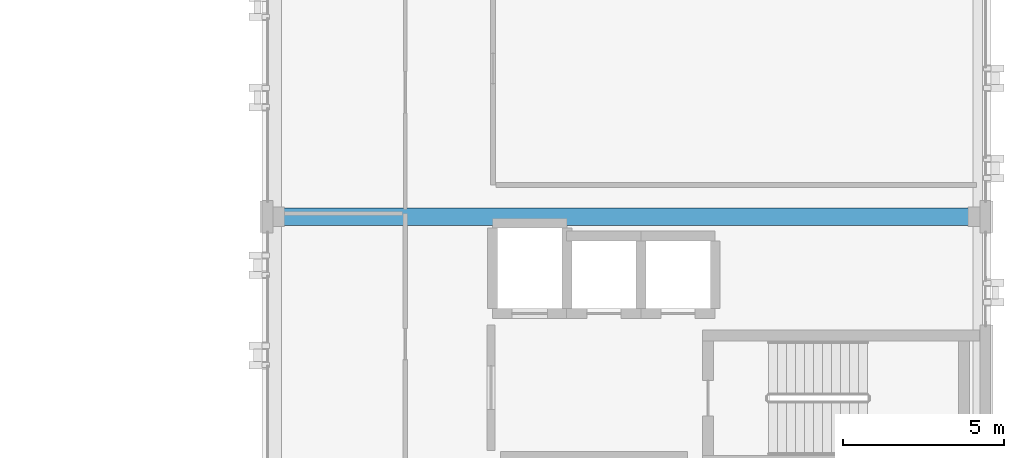
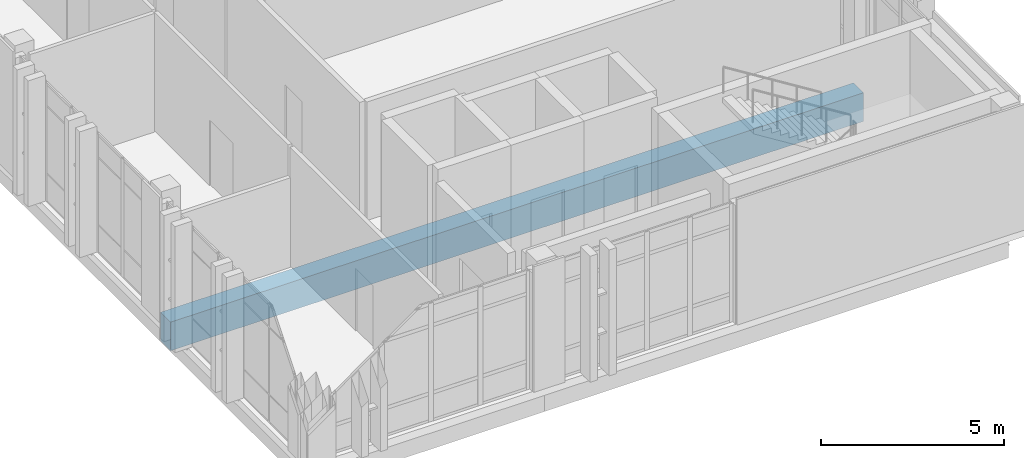
# One storey, part 5 of 22: 1 beam.
"""IFC4 building model written with IfcOpenShell, lengths in metres."""

from ifc_helpers import new_model, si_unit, direction, frame, origin, origin_2d, place, context, subcontext, project, spatial, rectangle, extrude, material, material_profile, profile_set, type_object, element, save


model = new_model("IFC4")

# Units and contexts
model_context = context("Model", 3, precision=1e-05, world=origin(), true_north=direction((0.0, 1.0)))
body_context = subcontext(model_context, "Body", "Model", "MODEL_VIEW")
ifc_project = project(units=[si_unit("LENGTHUNIT", "METRE"), si_unit("AREAUNIT", "SQUARE_METRE"), si_unit("VOLUMEUNIT", "CUBIC_METRE"), si_unit("PLANEANGLEUNIT", "RADIAN"), si_unit("MASSUNIT", "GRAM", prefix="KILO")], contexts=[model_context])

# Site, building, storey
site_placement = place(None, origin())
site = spatial("IfcSite", under=ifc_project, at=site_placement, CompositionType="ELEMENT")
building_placement = place(site_placement, origin())
building = spatial("IfcBuilding", under=site, at=building_placement, Name="Qalavern Law Courts", CompositionType="ELEMENT")
storey_placement = place(building_placement, frame((0.0, 0.0, 35.39990234375)))
storey = spatial("IfcBuildingStorey", under=building, at=storey_placement, Name="L08", CompositionType="ELEMENT", Elevation=35.39990234375)

# Beam
ifc_material = material(Name="Concrete C40/50", Category="concrete")
ifc_material_profile = material_profile(ifc_material, rectangle(XDim=0.550048828125, YDim=0.949951171875, at=origin_2d()), Name="RC 550x950")
ifc_profile_set = profile_set([ifc_material_profile], Name="Concrete C40/50")
beam_type = type_object("IfcBeamType", Name="STR-BM-RC550x950", PredefinedType="BEAM", material=ifc_profile_set)
beam_placement = place(storey_placement, frame((84.60009765625, 49.39990234375, -0.73486328125), z_axis=(1.0, 0.0, 0.0), x_axis=(0.0, 1.0, 0.0)))
element("IfcBeam", 1, at=beam_placement, inside=storey, type_object=beam_type, Name="V4 X-beam 2-1 L08", PredefinedType="BEAM", context=body_context, shape_type="SweptSolid", body=[
    extrude(rectangle(XDim=0.550048828125, YDim=0.949951171875, at=origin_2d()), origin(), (0.0, 0.0, 1.0), 21.7998046875),
])

save(model, "model.ifc")
